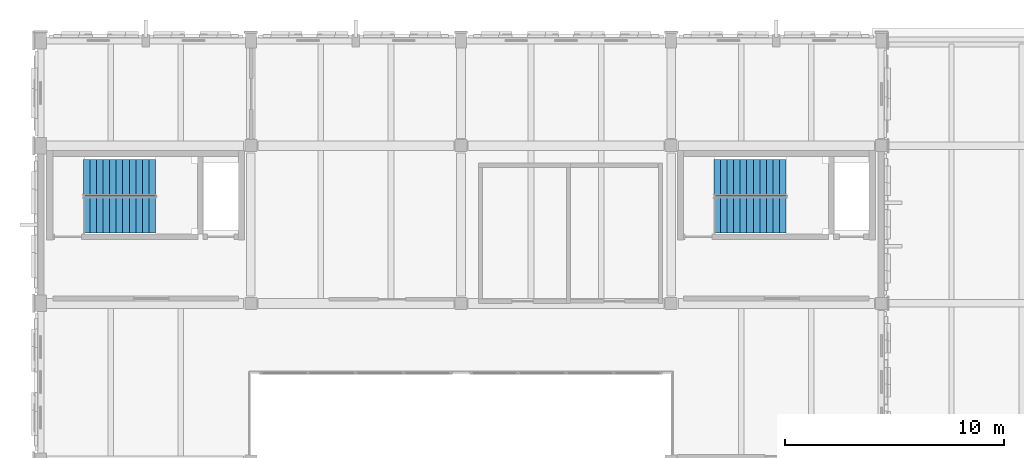
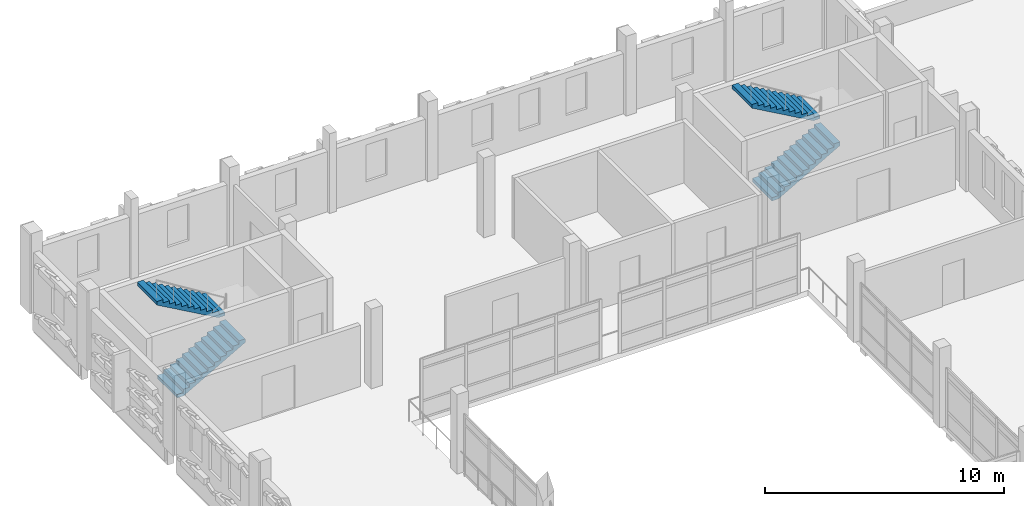
# One storey, part 41 of 50: 4 stair flights, 2 elements without a shape of their own.
"""IFC4 building model written with IfcOpenShell, lengths in metres."""

from ifc_helpers import new_model, si_unit, direction, frame, origin, place, context, subcontext, project, spatial, polyline, outline, extrude, material, layer, layer_set, type_object, element, aggregate, save


model = new_model("IFC4")

# Units and contexts
model_context = context("Model", 3, precision=1e-05, world=origin(), true_north=direction((0.0, 1.0)))
body_context = subcontext(model_context, "Body", "Model", "MODEL_VIEW")
ifc_project = project(units=[si_unit("LENGTHUNIT", "METRE"), si_unit("AREAUNIT", "SQUARE_METRE"), si_unit("VOLUMEUNIT", "CUBIC_METRE"), si_unit("PLANEANGLEUNIT", "RADIAN"), si_unit("MASSUNIT", "GRAM", prefix="KILO")], contexts=[model_context])

# Site, building, storey
site_placement = place(None, origin())
site = spatial("IfcSite", under=ifc_project, at=site_placement, CompositionType="ELEMENT")
building_placement = place(site_placement, origin())
building = spatial("IfcBuilding", under=site, at=building_placement, Name="Asteropetra Specialist Clinic", CompositionType="ELEMENT")
storey_placement = place(building_placement, frame((0.0, 0.0, 16.659912109375)))
storey = spatial("IfcBuildingStorey", under=building, at=storey_placement, Name="L04", CompositionType="ELEMENT", Elevation=16.659912109375)

# Stair, stair flights
ifc_material_1 = material(Name="Concrete C35/45", Category="concrete")
stair_type = type_object("IfcStairType", Name="STR-DOG-165", PredefinedType="TWO_STRAIGHT_RUN_STAIR", material=ifc_material_1)
stair_1_placement = place(storey_placement, origin())
stair_1 = element("IfcStair", 1, at=stair_1_placement, inside=storey, type_object=stair_type, Name="Type I Stair ST01-L04", PredefinedType="TWO_STRAIGHT_RUN_STAIR")
ifc_material_2 = material(Name="Concrete C35/45", Category="concrete")
ifc_layer = layer(ifc_material_2, 0.179931640625)
ifc_layer_set = layer_set([ifc_layer], Name="Concrete C35/45")
stair_flight_type = type_object("IfcStairFlightType", Name="SFL-STR-165", PredefinedType="STRAIGHT", material=ifc_layer_set)
stair_flight_1_placement = place(storey_placement, frame((1.949951171875, 102.445068359375, 0.0), z_axis=(0.0, 0.0, 1.0), x_axis=(1.0, 0.0, 0.0)))
stair_flight_1 = element("IfcStairFlight", 2, at=stair_flight_1_placement, type_object=stair_flight_type, Name="ST01-L04 flight 1", NumberOfRisers=12, NumberOfTreads=11, PredefinedType="STRAIGHT", RiserHeight=0.17, TreadLength=0.3, context=body_context, shape_type="SweptSolid", body=[
    extrude(outline(polyline([(0.0, 0.0), (0.0, 0.169921875), (0.300048828125, 0.169921875), (0.300048828125, 0.340087890625), (0.60009765625, 0.340087890625), (0.60009765625, 0.510009765625), (0.89990234375, 0.510009765625), (0.89990234375, 0.679931640625), (1.199951171875, 0.679931640625), (1.199951171875, 0.85009765625), (1.5, 0.85009765625), (1.5, 1.02001953125), (1.800048828125, 1.02001953125), (1.800048828125, 1.18994140625), (2.10009765625, 1.18994140625), (2.10009765625, 1.360107421875), (2.39990234375, 1.360107421875), (2.39990234375, 1.530029296875), (2.699951171875, 1.530029296875), (2.699951171875, 1.699951171875), (3.0, 1.699951171875), (3.0, 1.8701171875), (3.300048828125, 1.8701171875), (3.300048828125, 2.0400390625), (3.300048828125, 1.686279296875), (0.324462890625, 0.0), (0.0, 0.0)])), frame((0.0, 0.824951171875, 0.0), z_axis=(0.0, -1.0, 0.0), x_axis=(1.0, 0.0, 0.0)), (0.0, 0.0, 1.0), 1.64990234375),
])
stair_flight_2_placement = place(storey_placement, frame((5.25, 104.135009765625, 2.0400390625), z_axis=(0.0, 0.0, 1.0), x_axis=(-1.0, 0.0, 0.0)))
stair_flight_2 = element("IfcStairFlight", 3, at=stair_flight_2_placement, type_object=stair_flight_type, Name="ST01-L04 flight 2", NumberOfRisers=12, NumberOfTreads=11, PredefinedType="STRAIGHT", RiserHeight=0.17, TreadLength=0.3, context=body_context, shape_type="SweptSolid", body=[
    extrude(outline(polyline([(0.0, 0.0), (0.0, 0.169921875), (0.300048828125, 0.169921875), (0.300048828125, 0.340087890625), (0.60009765625, 0.340087890625), (0.60009765625, 0.510009765625), (0.89990234375, 0.510009765625), (0.89990234375, 0.679931640625), (1.199951171875, 0.679931640625), (1.199951171875, 0.85009765625), (1.5, 0.85009765625), (1.5, 1.02001953125), (1.800048828125, 1.02001953125), (1.800048828125, 1.18994140625), (2.10009765625, 1.18994140625), (2.10009765625, 1.360107421875), (2.39990234375, 1.360107421875), (2.39990234375, 1.530029296875), (2.699951171875, 1.530029296875), (2.699951171875, 1.699951171875), (3.0, 1.699951171875), (3.0, 1.8701171875), (3.300048828125, 1.8701171875), (3.300048828125, 2.0400390625), (3.300048828125, 1.686279296875), (0.324462890625, 0.0), (0.0, 0.0)])), frame((0.0, 0.824951171875, 0.0), z_axis=(0.0, -1.0, 0.0), x_axis=(1.0, 0.0, 0.0)), (0.0, 0.0, 1.0), 1.64990234375),
])
aggregate(stair_1, [stair_flight_1, stair_flight_2])

stair_2_placement = place(storey_placement, origin())
stair_2 = element("IfcStair", 4, at=stair_2_placement, inside=storey, type_object=stair_type, Name="Type I Stair ST02-L04", PredefinedType="TWO_STRAIGHT_RUN_STAIR")
stair_flight_3_placement = place(storey_placement, frame((30.75, 102.445068359375, 0.0), z_axis=(0.0, 0.0, 1.0), x_axis=(1.0, 0.0, 0.0)))
stair_flight_3 = element("IfcStairFlight", 5, at=stair_flight_3_placement, type_object=stair_flight_type, Name="ST02-L04 flight 1", NumberOfRisers=12, NumberOfTreads=11, PredefinedType="STRAIGHT", RiserHeight=0.17, TreadLength=0.3, context=body_context, shape_type="SweptSolid", body=[
    extrude(outline(polyline([(0.0, 0.0), (0.0, 0.169921875), (0.300048828125, 0.169921875), (0.300048828125, 0.340087890625), (0.60009765625, 0.340087890625), (0.60009765625, 0.510009765625), (0.89990234375, 0.510009765625), (0.89990234375, 0.679931640625), (1.199951171875, 0.679931640625), (1.199951171875, 0.85009765625), (1.5, 0.85009765625), (1.5, 1.02001953125), (1.800048828125, 1.02001953125), (1.800048828125, 1.18994140625), (2.10009765625, 1.18994140625), (2.10009765625, 1.360107421875), (2.39990234375, 1.360107421875), (2.39990234375, 1.530029296875), (2.699951171875, 1.530029296875), (2.699951171875, 1.699951171875), (3.0, 1.699951171875), (3.0, 1.8701171875), (3.300048828125, 1.8701171875), (3.300048828125, 2.0400390625), (3.300048828125, 1.686279296875), (0.324462890625, 0.0), (0.0, 0.0)])), frame((0.0, 0.824951171875, 0.0), z_axis=(0.0, -1.0, 0.0), x_axis=(1.0, 0.0, 0.0)), (0.0, 0.0, 1.0), 1.64990234375),
])
stair_flight_4_placement = place(storey_placement, frame((34.050048828125, 104.135009765625, 2.0400390625), z_axis=(0.0, 0.0, 1.0), x_axis=(-1.0, 0.0, 0.0)))
stair_flight_4 = element("IfcStairFlight", 6, at=stair_flight_4_placement, type_object=stair_flight_type, Name="ST02-L04 flight 2", NumberOfRisers=12, NumberOfTreads=11, PredefinedType="STRAIGHT", RiserHeight=0.17, TreadLength=0.3, context=body_context, shape_type="SweptSolid", body=[
    extrude(outline(polyline([(0.0, 0.0), (0.0, 0.169921875), (0.300048828125, 0.169921875), (0.300048828125, 0.340087890625), (0.60009765625, 0.340087890625), (0.60009765625, 0.510009765625), (0.89990234375, 0.510009765625), (0.89990234375, 0.679931640625), (1.199951171875, 0.679931640625), (1.199951171875, 0.85009765625), (1.5, 0.85009765625), (1.5, 1.02001953125), (1.800048828125, 1.02001953125), (1.800048828125, 1.18994140625), (2.10009765625, 1.18994140625), (2.10009765625, 1.360107421875), (2.39990234375, 1.360107421875), (2.39990234375, 1.530029296875), (2.699951171875, 1.530029296875), (2.699951171875, 1.699951171875), (3.0, 1.699951171875), (3.0, 1.8701171875), (3.300048828125, 1.8701171875), (3.300048828125, 2.0400390625), (3.300048828125, 1.686279296875), (0.324462890625, 0.0), (0.0, 0.0)])), frame((0.0, 0.824951171875, 0.0), z_axis=(0.0, -1.0, 0.0), x_axis=(1.0, 0.0, 0.0)), (0.0, 0.0, 1.0), 1.64990234375),
])
aggregate(stair_2, [stair_flight_3, stair_flight_4])

save(model, "model.ifc")
